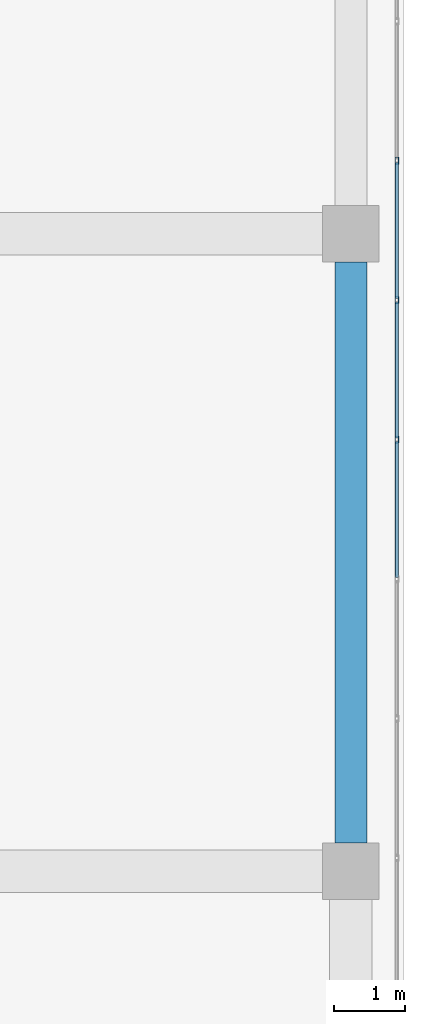
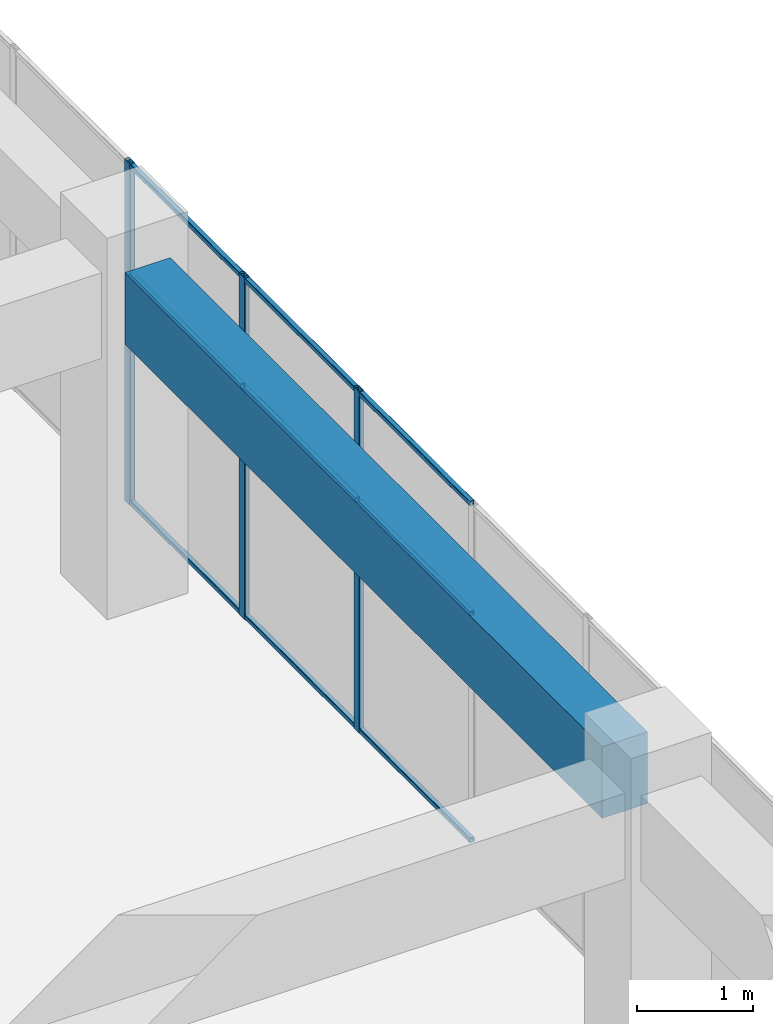
# One storey, part 25 of 52: 12 members, 1 beam, 1 element without a shape of its own.
"""IFC4 building model written with IfcOpenShell, lengths in metres."""

from ifc_helpers import new_model, si_unit, direction, frame, origin, origin_2d, place, context, subcontext, project, spatial, rectangle, hollow_rectangle, extrude, material, layer, layer_set, material_profile, profile_set, type_object, element, aggregate, save


model = new_model("IFC4")

# Units and contexts
model_context = context("Model", 3, precision=1e-05, world=origin(), true_north=direction((0.0, 1.0)))
body_context = subcontext(model_context, "Body", "Model", "MODEL_VIEW")
ifc_project = project(units=[si_unit("LENGTHUNIT", "METRE"), si_unit("AREAUNIT", "SQUARE_METRE"), si_unit("VOLUMEUNIT", "CUBIC_METRE"), si_unit("PLANEANGLEUNIT", "RADIAN"), si_unit("MASSUNIT", "GRAM", prefix="KILO")], contexts=[model_context])

# Site, building, storey
site_placement = place(None, origin())
site = spatial("IfcSite", under=ifc_project, at=site_placement, CompositionType="ELEMENT")
building_placement = place(site_placement, origin())
building = spatial("IfcBuilding", under=site, at=building_placement, Name="Tuart Plaza Theatre", CompositionType="ELEMENT")
storey_placement = place(building_placement, frame((0.0, 0.0, 25.5)))
storey = spatial("IfcBuildingStorey", under=building, at=storey_placement, Name="L06", CompositionType="ELEMENT", Elevation=25.5)

# Beam
ifc_material_1 = material(Name="Concrete N40 (40 MPa)", Category="concrete")
ifc_material_profile_1 = material_profile(ifc_material_1, rectangle(XDim=0.449951171875, YDim=0.75, at=origin_2d()), Name="BEAM 450x750 Concrete N40 (40 MPa)")
ifc_profile_set_1 = profile_set([ifc_material_profile_1], Name="Concrete N40 (40 MPa)")
beam_type = type_object("IfcBeamType", Name="BEAM 450x750 Concrete N40 (40 MPa)", PredefinedType="BEAM", material=ifc_profile_set_1)
beam_placement = place(storey_placement, frame((150.0, 56.39990234375, 3.205078125), z_axis=(0.0, 1.0, 0.0), x_axis=(-1.0, 0.0, 0.0)))
element("IfcBeam", 1, at=beam_placement, inside=storey, type_object=beam_type, Name="RB238", PredefinedType="BEAM", context=body_context, shape_type="SweptSolid", body=[
    extrude(rectangle(XDim=0.449951171875, YDim=0.75, at=origin_2d()), origin(), (0.0, 0.0, 1.0), 8.2001953125),
])

# Curtain wall, members
ifc_material_2 = material(Name="Aluminium and glass", Category="aluminium")
ifc_layer = layer(ifc_material_2, 0.10009765625)
ifc_layer_set = layer_set([ifc_layer], Name="CURTAIN WALL 2000 module")
curtain_wall_type = type_object("IfcCurtainWallType", Name="CURTAIN WALL 2000 module", PredefinedType="NOTDEFINED", material=ifc_layer_set)
curtain_wall_placement = place(storey_placement, origin())
curtain_wall = element("IfcCurtainWall", 2, at=curtain_wall_placement, inside=storey, type_object=curtain_wall_type, Name="CW78", PredefinedType="NOTDEFINED")
ifc_material_3 = material(Name="Aluminium 6063-T5", Category="aluminium")
ifc_material_profile_2 = material_profile(ifc_material_3, hollow_rectangle(XDim=0.050048828125, YDim=0.10009765625, WallThickness=0.00390625, InnerFilletRadius=0.00390625, OuterFilletRadius=0.008056640625, at=origin_2d()), Name="RHS 100x50x4")
ifc_profile_set_2 = profile_set([ifc_material_profile_2], Name="Aluminium 6063-T5")
member_type_1 = type_object("IfcMemberType", Name="MULLION RHS 100x50x4", PredefinedType="MULLION", material=ifc_profile_set_2)
member_1_placement = place(storey_placement, frame((150.64990234375, 62.09375, 0.0), z_axis=(0.0, 0.0, 1.0), x_axis=(-1.0, 0.0, 0.0)))
member_1 = element("IfcMember", 3, at=member_1_placement, type_object=member_type_1, Name="CW78 mullion 6", PredefinedType="MULLION", context=body_context, shape_type="SweptSolid", body=[
    extrude(hollow_rectangle(XDim=0.050048828125, YDim=0.10009765625, WallThickness=0.00390625, InnerFilletRadius=0.00390625, OuterFilletRadius=0.008056640625, at=origin_2d()), origin(), (0.0, 0.0, 1.0), 3.580078125),
])
member_2_placement = place(storey_placement, frame((150.64990234375, 64.0625, 0.0), z_axis=(0.0, 0.0, 1.0), x_axis=(-1.0, 0.0, 0.0)))
member_2 = element("IfcMember", 4, at=member_2_placement, type_object=member_type_1, Name="CW78 mullion 7", PredefinedType="MULLION", context=body_context, shape_type="SweptSolid", body=[
    extrude(hollow_rectangle(XDim=0.050048828125, YDim=0.10009765625, WallThickness=0.00390625, InnerFilletRadius=0.00390625, OuterFilletRadius=0.008056640625, at=origin_2d()), origin(), (0.0, 0.0, 1.0), 3.580078125),
])
member_3_placement = place(storey_placement, frame((150.64990234375, 66.03125, 0.0), z_axis=(0.0, 0.0, 1.0), x_axis=(-1.0, 0.0, 0.0)))
member_3 = element("IfcMember", 5, at=member_3_placement, type_object=member_type_1, Name="CW78 mullion 8", PredefinedType="MULLION", context=body_context, shape_type="SweptSolid", body=[
    extrude(hollow_rectangle(XDim=0.050048828125, YDim=0.10009765625, WallThickness=0.00390625, InnerFilletRadius=0.00390625, OuterFilletRadius=0.008056640625, at=origin_2d()), origin(), (0.0, 0.0, 1.0), 3.580078125),
])
ifc_material_4 = material(Name="Aluminium 6063-T5", Category="aluminium")
ifc_material_profile_3 = material_profile(ifc_material_4, hollow_rectangle(XDim=0.050048828125, YDim=0.050048828125, WallThickness=0.00390625, InnerFilletRadius=0.00390625, OuterFilletRadius=0.008056640625, at=origin_2d()), Name="RHS 50x50x4")
ifc_profile_set_3 = profile_set([ifc_material_profile_3], Name="Aluminium 6063-T5")
member_type_2 = type_object("IfcMemberType", Name="TRANSOM RHS 50x50x4", PredefinedType="USERDEFINED", material=ifc_profile_set_3)
member_4_placement = place(storey_placement, frame((150.64990234375, 60.14990234375, 0.02490234375), z_axis=(0.0, 1.0, 0.0), x_axis=(-1.0, 0.0, 0.0)))
member_4 = element("IfcMember", 6, at=member_4_placement, type_object=member_type_2, Name="CW78 transom 5.1", ObjectType="TRANSOM", PredefinedType="USERDEFINED", context=body_context, shape_type="SweptSolid", body=[
    extrude(hollow_rectangle(XDim=0.050048828125, YDim=0.050048828125, WallThickness=0.00390625, InnerFilletRadius=0.00390625, OuterFilletRadius=0.008056640625, at=origin_2d()), origin(), (0.0, 0.0, 1.0), 1.9189453125),
])
member_5_placement = place(storey_placement, frame((150.64990234375, 60.14990234375, 2.39990234375), z_axis=(0.0, 1.0, 0.0), x_axis=(-1.0, 0.0, 0.0)))
member_5 = element("IfcMember", 7, at=member_5_placement, type_object=member_type_2, Name="CW78 transom 5.2", ObjectType="TRANSOM", PredefinedType="USERDEFINED", context=body_context, shape_type="SweptSolid", body=[
    extrude(hollow_rectangle(XDim=0.050048828125, YDim=0.050048828125, WallThickness=0.00390625, InnerFilletRadius=0.00390625, OuterFilletRadius=0.008056640625, at=origin_2d()), origin(), (0.0, 0.0, 1.0), 1.9189453125),
])
member_6_placement = place(storey_placement, frame((150.64990234375, 60.14990234375, 3.554931640625), z_axis=(0.0, 1.0, 0.0), x_axis=(-1.0, 0.0, 0.0)))
member_6 = element("IfcMember", 8, at=member_6_placement, type_object=member_type_2, Name="CW78 transom 5.3", ObjectType="TRANSOM", PredefinedType="USERDEFINED", context=body_context, shape_type="SweptSolid", body=[
    extrude(hollow_rectangle(XDim=0.050048828125, YDim=0.050048828125, WallThickness=0.00390625, InnerFilletRadius=0.00390625, OuterFilletRadius=0.008056640625, at=origin_2d()), origin(), (0.0, 0.0, 1.0), 1.9189453125),
])
member_7_placement = place(storey_placement, frame((150.64990234375, 62.11865234375, 0.02490234375), z_axis=(0.0, 1.0, 0.0), x_axis=(-1.0, 0.0, 0.0)))
member_7 = element("IfcMember", 9, at=member_7_placement, type_object=member_type_2, Name="CW78 transom 6.1", ObjectType="TRANSOM", PredefinedType="USERDEFINED", context=body_context, shape_type="SweptSolid", body=[
    extrude(hollow_rectangle(XDim=0.050048828125, YDim=0.050048828125, WallThickness=0.00390625, InnerFilletRadius=0.00390625, OuterFilletRadius=0.008056640625, at=origin_2d()), origin(), (0.0, 0.0, 1.0), 1.9189453125),
])
member_8_placement = place(storey_placement, frame((150.64990234375, 62.11865234375, 2.39990234375), z_axis=(0.0, 1.0, 0.0), x_axis=(-1.0, 0.0, 0.0)))
member_8 = element("IfcMember", 10, at=member_8_placement, type_object=member_type_2, Name="CW78 transom 6.2", ObjectType="TRANSOM", PredefinedType="USERDEFINED", context=body_context, shape_type="SweptSolid", body=[
    extrude(hollow_rectangle(XDim=0.050048828125, YDim=0.050048828125, WallThickness=0.00390625, InnerFilletRadius=0.00390625, OuterFilletRadius=0.008056640625, at=origin_2d()), origin(), (0.0, 0.0, 1.0), 1.9189453125),
])
member_9_placement = place(storey_placement, frame((150.64990234375, 62.11865234375, 3.554931640625), z_axis=(0.0, 1.0, 0.0), x_axis=(-1.0, 0.0, 0.0)))
member_9 = element("IfcMember", 11, at=member_9_placement, type_object=member_type_2, Name="CW78 transom 6.3", ObjectType="TRANSOM", PredefinedType="USERDEFINED", context=body_context, shape_type="SweptSolid", body=[
    extrude(hollow_rectangle(XDim=0.050048828125, YDim=0.050048828125, WallThickness=0.00390625, InnerFilletRadius=0.00390625, OuterFilletRadius=0.008056640625, at=origin_2d()), origin(), (0.0, 0.0, 1.0), 1.9189453125),
])
member_10_placement = place(storey_placement, frame((150.64990234375, 64.08740234375, 0.02490234375), z_axis=(0.0, 1.0, 0.0), x_axis=(-1.0, 0.0, 0.0)))
member_10 = element("IfcMember", 12, at=member_10_placement, type_object=member_type_2, Name="CW78 transom 7.1", ObjectType="TRANSOM", PredefinedType="USERDEFINED", context=body_context, shape_type="SweptSolid", body=[
    extrude(hollow_rectangle(XDim=0.050048828125, YDim=0.050048828125, WallThickness=0.00390625, InnerFilletRadius=0.00390625, OuterFilletRadius=0.008056640625, at=origin_2d()), origin(), (0.0, 0.0, 1.0), 1.9189453125),
])
member_11_placement = place(storey_placement, frame((150.64990234375, 64.08740234375, 2.39990234375), z_axis=(0.0, 1.0, 0.0), x_axis=(-1.0, 0.0, 0.0)))
member_11 = element("IfcMember", 13, at=member_11_placement, type_object=member_type_2, Name="CW78 transom 7.2", ObjectType="TRANSOM", PredefinedType="USERDEFINED", context=body_context, shape_type="SweptSolid", body=[
    extrude(hollow_rectangle(XDim=0.050048828125, YDim=0.050048828125, WallThickness=0.00390625, InnerFilletRadius=0.00390625, OuterFilletRadius=0.008056640625, at=origin_2d()), origin(), (0.0, 0.0, 1.0), 1.9189453125),
])
member_12_placement = place(storey_placement, frame((150.64990234375, 64.08740234375, 3.554931640625), z_axis=(0.0, 1.0, 0.0), x_axis=(-1.0, 0.0, 0.0)))
member_12 = element("IfcMember", 14, at=member_12_placement, type_object=member_type_2, Name="CW78 transom 7.3", ObjectType="TRANSOM", PredefinedType="USERDEFINED", context=body_context, shape_type="SweptSolid", body=[
    extrude(hollow_rectangle(XDim=0.050048828125, YDim=0.050048828125, WallThickness=0.00390625, InnerFilletRadius=0.00390625, OuterFilletRadius=0.008056640625, at=origin_2d()), origin(), (0.0, 0.0, 1.0), 1.9189453125),
])
aggregate(curtain_wall, [member_1, member_2, member_3, member_4, member_5, member_6, member_7, member_8, member_9, member_10, member_11, member_12])

save(model, "model.ifc")
